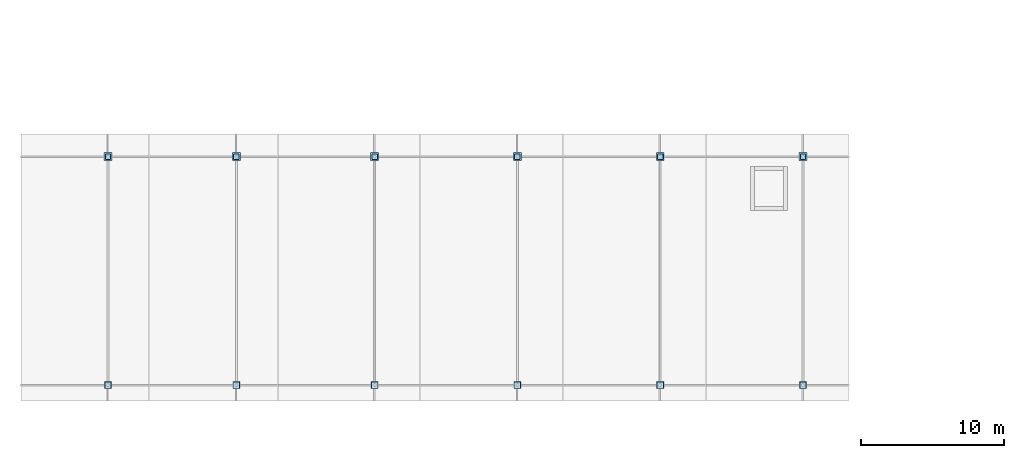
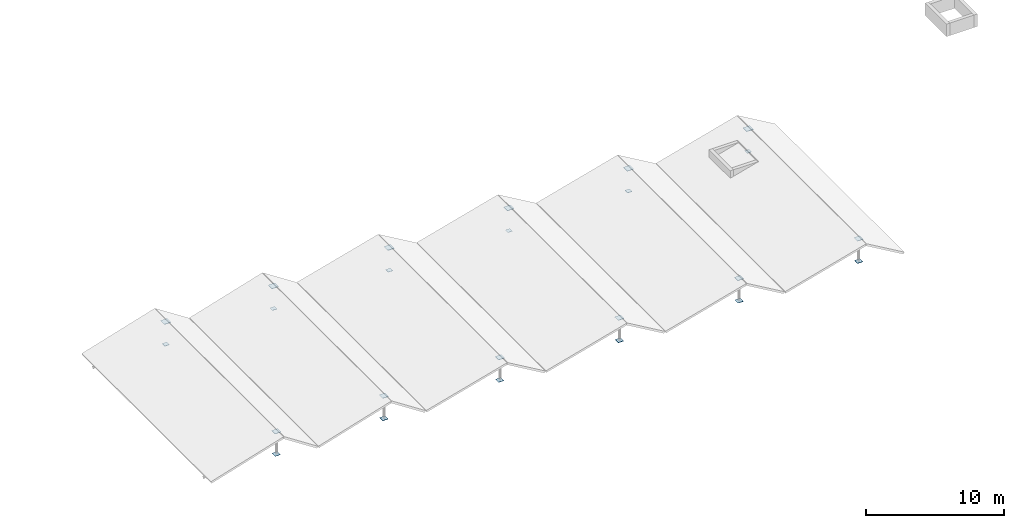
# One storey, part 39 of 70: 24 plates.
"""IFC4 building model written with IfcOpenShell, lengths in metres."""

from ifc_helpers import new_model, si_unit, direction, frame, origin, origin_2d, place, context, subcontext, project, spatial, rectangle, extrude, material, layer, layer_set, type_object, element, save


model = new_model("IFC4")

# Units and contexts
model_context = context("Model", 3, precision=1e-05, world=origin(), true_north=direction((0.0, 1.0)))
body_context = subcontext(model_context, "Body", "Model", "MODEL_VIEW")
ifc_project = project(units=[si_unit("LENGTHUNIT", "METRE"), si_unit("AREAUNIT", "SQUARE_METRE"), si_unit("VOLUMEUNIT", "CUBIC_METRE"), si_unit("PLANEANGLEUNIT", "RADIAN"), si_unit("MASSUNIT", "GRAM", prefix="KILO")], contexts=[model_context])

# Site, building, storey
site_placement = place(None, origin())
site = spatial("IfcSite", under=ifc_project, at=site_placement, CompositionType="ELEMENT")
building_placement = place(site_placement, origin())
building = spatial("IfcBuilding", under=site, at=building_placement, Name="Zimvara Arc Housing Community", CompositionType="ELEMENT")
storey_placement = place(building_placement, frame((0.0, 0.0, 8.10009765625)))
storey = spatial("IfcBuildingStorey", under=building, at=storey_placement, Name="L02", CompositionType="ELEMENT", Elevation=8.10009765625)

# Plates
ifc_material_1 = material(Name="Steel S355", Category="steel")
ifc_layer_1 = layer(ifc_material_1, 0.02490234375)
ifc_layer_set_1 = layer_set([ifc_layer_1], Name="Steel S355")
plate_type_1 = type_object("IfcPlateType", Name="PLT-CONN-01", PredefinedType="SHEET", material=ifc_layer_set_1)
for number, where, z_axis, x_axis, name in (
    (1, (6.1201171875, 3.60009765625, -0.762451171875), (0.0, 0.0, 1.0), (1.0, 0.0, 0.0), "plate:brace_end:073"),
    (2, (15.1201171875, 3.60009765625, -0.762451171875), (0.0, 0.0, 1.0), (1.0, 0.0, 0.0), "plate:brace_end:077"),
    (3, (24.800048828125, 3.60009765625, -0.762451171875), (0.0, 0.0, 1.0), (1.0, 0.0, 0.0), "plate:brace_end:081"),
    (4, (34.800048828125, 3.60009765625, -0.762451171875), (0.0, 0.0, 1.0), (1.0, 0.0, 0.0), "plate:brace_end:085"),
    (5, (44.800048828125, 3.60009765625, -0.762451171875), (0.0, 0.0, 1.0), (1.0, 0.0, 0.0), "plate:brace_end:089"),
    (6, (54.800048828125, 3.60009765625, -0.762451171875), (0.0, 0.0, 1.0), (1.0, 0.0, 0.0), "plate:brace_end:093"),
):
    element("IfcPlate", number, at=place(storey_placement, frame(where, z_axis=z_axis, x_axis=x_axis)), inside=storey, type_object=plate_type_1, Name=name, PredefinedType="SHEET", context=body_context, shape_type="SweptSolid", body=[
        extrude(rectangle(XDim=0.449951171875, YDim=0.449951171875, at=origin_2d()), origin(), (0.0, 0.0, 1.0), 0.02490234375),
    ])
ifc_material_2 = material(Name="Steel S355", Category="steel")
ifc_layer_2 = layer(ifc_material_2, 0.030029296875)
ifc_layer_set_2 = layer_set([ifc_layer_2], Name="Steel S355")
plate_type_2 = type_object("IfcPlateType", Name="PLT-CONN-02", PredefinedType="SHEET", material=ifc_layer_set_2)
for number, where, z_axis, x_axis, name in (
    (7, (6.1201171875, 3.60009765625, 1.23486328125), (0.0, 0.0, 1.0), (1.0, 0.0, 0.0), "plate:brace_end:074"),
    (8, (15.1201171875, 3.60009765625, 1.23486328125), (0.0, 0.0, 1.0), (1.0, 0.0, 0.0), "plate:brace_end:078"),
    (9, (24.800048828125, 3.60009765625, 1.23486328125), (0.0, 0.0, 1.0), (1.0, 0.0, 0.0), "plate:brace_end:082"),
    (10, (34.800048828125, 3.60009765625, 1.23486328125), (0.0, 0.0, 1.0), (1.0, 0.0, 0.0), "plate:brace_end:086"),
    (11, (44.800048828125, 3.60009765625, 1.23486328125), (0.0, 0.0, 1.0), (1.0, 0.0, 0.0), "plate:brace_end:090"),
    (12, (54.800048828125, 3.60009765625, 1.23486328125), (0.0, 0.0, 1.0), (1.0, 0.0, 0.0), "plate:brace_end:094"),
):
    element("IfcPlate", number, at=place(storey_placement, frame(where, z_axis=z_axis, x_axis=x_axis)), inside=storey, type_object=plate_type_2, Name=name, PredefinedType="SHEET", context=body_context, shape_type="SweptSolid", body=[
        extrude(rectangle(XDim=0.5, YDim=0.5, at=origin_2d()), origin(), (0.0, 0.0, 1.0), 0.030029296875),
    ])
ifc_material_3 = material(Name="Steel S355", Category="steel")
ifc_layer_3 = layer(ifc_material_3, 0.02197265625)
ifc_layer_set_3 = layer_set([ifc_layer_3], Name="Steel S355")
plate_type_3 = type_object("IfcPlateType", Name="PLT-CONN-03", PredefinedType="SHEET", material=ifc_layer_set_3)
for number, where, z_axis, x_axis, name in (
    (13, (6.1201171875, 19.60009765625, -0.760986328125), (0.0, 0.0, 1.0), (1.0, 0.0, 0.0), "plate:brace_end:075"),
    (14, (15.1201171875, 19.60009765625, -0.760986328125), (0.0, 0.0, 1.0), (1.0, 0.0, 0.0), "plate:brace_end:079"),
    (15, (24.800048828125, 19.60009765625, -0.760986328125), (0.0, 0.0, 1.0), (1.0, 0.0, 0.0), "plate:brace_end:083"),
    (16, (34.800048828125, 19.60009765625, -0.760986328125), (0.0, 0.0, 1.0), (1.0, 0.0, 0.0), "plate:brace_end:087"),
    (17, (44.800048828125, 19.60009765625, -0.760986328125), (0.0, 0.0, 1.0), (1.0, 0.0, 0.0), "plate:brace_end:091"),
    (18, (54.800048828125, 19.60009765625, -0.760986328125), (0.0, 0.0, 1.0), (1.0, 0.0, 0.0), "plate:brace_end:095"),
):
    element("IfcPlate", number, at=place(storey_placement, frame(where, z_axis=z_axis, x_axis=x_axis)), inside=storey, type_object=plate_type_3, Name=name, PredefinedType="SHEET", context=body_context, shape_type="SweptSolid", body=[
        extrude(rectangle(XDim=0.3798828125, YDim=0.3798828125, at=origin_2d()), origin(), (0.0, 0.0, 1.0), 0.02197265625),
    ])
ifc_material_4 = material(Name="Steel S355", Category="steel")
ifc_layer_4 = layer(ifc_material_4, 0.034912109375)
ifc_layer_set_4 = layer_set([ifc_layer_4], Name="Steel S355")
plate_type_4 = type_object("IfcPlateType", Name="PLT-CONN-04", PredefinedType="SHEET", material=ifc_layer_set_4)
for number, where, z_axis, x_axis, name in (
    (19, (6.1201171875, 19.60009765625, 1.232421875), (0.0, 0.0, 1.0), (1.0, 0.0, 0.0), "plate:brace_end:076"),
    (20, (15.1201171875, 19.60009765625, 1.232421875), (0.0, 0.0, 1.0), (1.0, 0.0, 0.0), "plate:brace_end:080"),
    (21, (24.800048828125, 19.60009765625, 1.232421875), (0.0, 0.0, 1.0), (1.0, 0.0, 0.0), "plate:brace_end:084"),
    (22, (34.800048828125, 19.60009765625, 1.232421875), (0.0, 0.0, 1.0), (1.0, 0.0, 0.0), "plate:brace_end:088"),
    (23, (44.800048828125, 19.60009765625, 1.232421875), (0.0, 0.0, 1.0), (1.0, 0.0, 0.0), "plate:brace_end:092"),
    (24, (54.800048828125, 19.60009765625, 1.232421875), (0.0, 0.0, 1.0), (1.0, 0.0, 0.0), "plate:brace_end:096"),
):
    element("IfcPlate", number, at=place(storey_placement, frame(where, z_axis=z_axis, x_axis=x_axis)), inside=storey, type_object=plate_type_4, Name=name, PredefinedType="SHEET", context=body_context, shape_type="SweptSolid", body=[
        extrude(rectangle(XDim=0.550048828125, YDim=0.550048828125, at=origin_2d()), origin(), (0.0, 0.0, 1.0), 0.034912109375),
    ])

save(model, "model.ifc")
